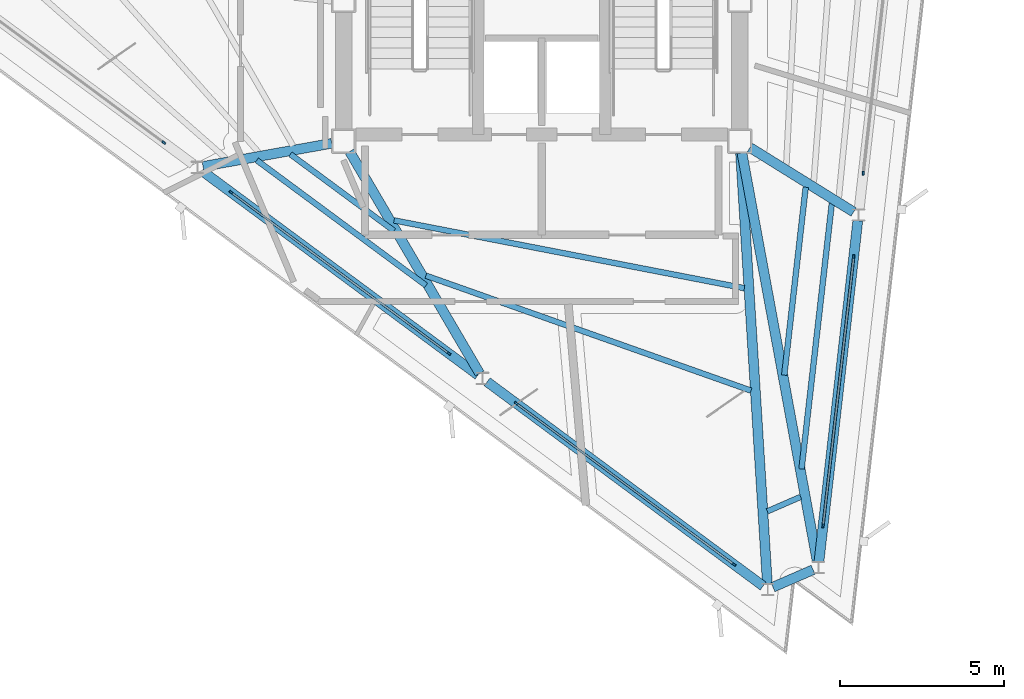
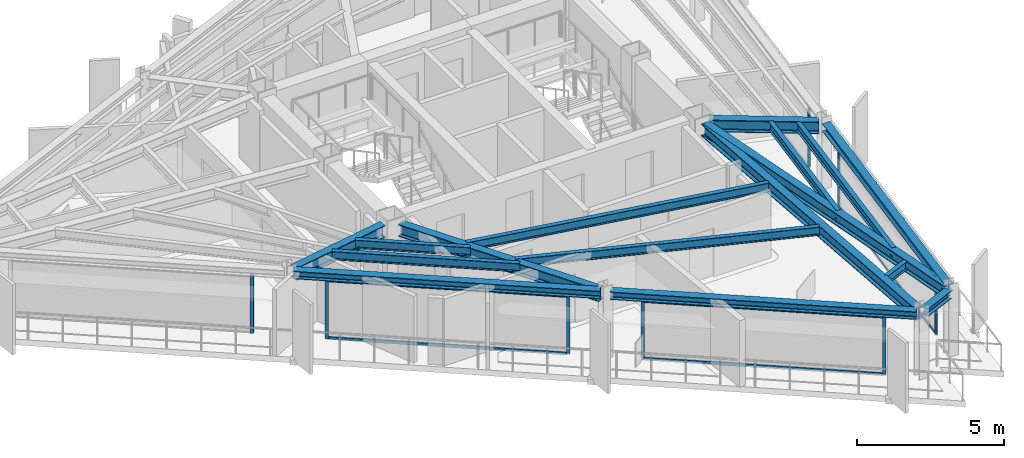
# One storey, part 2 of 10: 16 beams, 14 members, 5 elements without a shape of their own.
"""IFC4 building model written with IfcOpenShell, lengths in metres."""

from ifc_helpers import new_model, si_unit, direction, frame, origin, origin_2d, place, context, subcontext, project, spatial, rectangle, i_section, extrude, material, layer, layer_set, material_profile, profile_set, type_object, element, aggregate, save


model = new_model("IFC4")

# Units and contexts
model_context = context("Model", 3, precision=1e-05, world=origin(), true_north=direction((0.0, 1.0)))
body_context = subcontext(model_context, "Body", "Model", "MODEL_VIEW")
ifc_project = project(units=[si_unit("LENGTHUNIT", "METRE"), si_unit("AREAUNIT", "SQUARE_METRE"), si_unit("VOLUMEUNIT", "CUBIC_METRE"), si_unit("PLANEANGLEUNIT", "RADIAN"), si_unit("MASSUNIT", "GRAM", prefix="KILO")], contexts=[model_context])

# Site, building, storey
site_placement = place(None, origin())
site = spatial("IfcSite", under=ifc_project, at=site_placement, CompositionType="ELEMENT")
building_placement = place(site_placement, origin())
building = spatial("IfcBuilding", under=site, at=building_placement, Name="Rocaltana Carrier Exchange", CompositionType="ELEMENT")
storey_placement = place(building_placement, frame((0.0, 0.0, 227.0400390625)))
storey = spatial("IfcBuildingStorey", under=building, at=storey_placement, Name="L72", CompositionType="ELEMENT", Elevation=227.0400390625)

# Curtain wall, members
ifc_material_1 = material(Name="Aluminium 6063-T6", Category="aluminium")
ifc_layer = layer(ifc_material_1, 0.1201171875)
ifc_layer_set = layer_set([ifc_layer], Name="Aluminium 6063-T6")
curtain_wall_type = type_object("IfcCurtainWallType", Name="High-Altitude Thermal Curtain Wall CW-05", PredefinedType="NOTDEFINED", material=ifc_layer_set)
curtain_wall_1_placement = place(storey_placement, origin())
curtain_wall_1 = element("IfcCurtainWall", 1, at=curtain_wall_1_placement, inside=storey, type_object=curtain_wall_type, Name="L72 CW-05 Run CW-L72-F1S1", PredefinedType="NOTDEFINED")
ifc_material_2 = material(Name="Aluminium 6063-T6", Category="aluminium")
ifc_material_profile_1 = material_profile(ifc_material_2, rectangle(XDim=0.06005859375, YDim=0.1201171875, at=origin_2d()), Name="AL-60X120")
ifc_profile_set_1 = profile_set([ifc_material_profile_1], Name="Aluminium 6063-T6")
member_type_1 = type_object("IfcMemberType", Name="CW-05 Mullion AL-60X120", PredefinedType="MULLION", material=ifc_profile_set_1)
member_1_placement = place(storey_placement, frame((8.593505859375, -16.0458984375, 0.0), z_axis=(0.0, 0.0, 1.0), x_axis=(-0.993571216652, 0.113208822277, 0.0)))
member_1 = element("IfcMember", 2, at=member_1_placement, type_object=member_type_1, Name="CW-05 mullion 1", PredefinedType="MULLION", context=body_context, shape_type="SweptSolid", body=[
    extrude(rectangle(XDim=0.06005859375, YDim=0.1201171875, at=origin_2d()), origin(), (0.0, 0.0, 1.0), 2.447998046875),
])
member_2_placement = place(storey_placement, frame((9.530029296875, -7.825927734375, 0.0), z_axis=(0.0, 0.0, 1.0), x_axis=(-0.993571216652, 0.113208822277, 0.0)))
member_2 = element("IfcMember", 3, at=member_2_placement, type_object=member_type_1, Name="CW-05 mullion 2", PredefinedType="MULLION", context=body_context, shape_type="SweptSolid", body=[
    extrude(rectangle(XDim=0.06005859375, YDim=0.1201171875, at=origin_2d()), origin(), (0.0, 0.0, 1.0), 2.447998046875),
])

# Curtain wall, member
curtain_wall_2_placement = place(storey_placement, origin())
curtain_wall_2 = element("IfcCurtainWall", 4, at=curtain_wall_2_placement, inside=storey, type_object=curtain_wall_type, Name="L72 CW-05 Run CW-L72-F1S2", PredefinedType="NOTDEFINED")
member_3_placement = place(storey_placement, frame((9.81982421875, -5.2822265625, 0.0), z_axis=(0.0, 0.0, 1.0), x_axis=(-0.993571216652, 0.113208822277, 0.0)))
member_3 = element("IfcMember", 5, at=member_3_placement, type_object=member_type_1, Name="CW-05 mullion 1", PredefinedType="MULLION", context=body_context, shape_type="SweptSolid", body=[
    extrude(rectangle(XDim=0.06005859375, YDim=0.1201171875, at=origin_2d()), origin(), (0.0, 0.0, 1.0), 2.447998046875),
])
aggregate(curtain_wall_2, [member_3])

curtain_wall_3_placement = place(storey_placement, origin())
curtain_wall_3 = element("IfcCurtainWall", 6, at=curtain_wall_3_placement, inside=storey, type_object=curtain_wall_type, Name="L72 CW-05 Run CW-L72-F3S1", PredefinedType="NOTDEFINED")
member_4_placement = place(storey_placement, frame((-11.54248046875, -4.340576171875, 0.0), z_axis=(0.0, 0.0, 1.0), x_axis=(0.594826566974, 0.803854063386, 0.0)))
member_4 = element("IfcMember", 7, at=member_4_placement, type_object=member_type_1, Name="CW-05 mullion 2", PredefinedType="MULLION", context=body_context, shape_type="SweptSolid", body=[
    extrude(rectangle(XDim=0.06005859375, YDim=0.1201171875, at=origin_2d()), origin(), (0.0, 0.0, 1.0), 2.447998046875),
])
aggregate(curtain_wall_3, [member_4])

# Curtain wall, members
curtain_wall_4_placement = place(storey_placement, origin())
curtain_wall_4 = element("IfcCurtainWall", 8, at=curtain_wall_4_placement, inside=storey, type_object=curtain_wall_type, Name="L72 CW-05 Run CW-L72-F3S2", PredefinedType="NOTDEFINED")
member_5_placement = place(storey_placement, frame((-9.484619140625, -5.863037109375, 0.0), z_axis=(0.0, 0.0, 1.0), x_axis=(0.594820829179, 0.803858309141, 0.0)))
member_5 = element("IfcMember", 9, at=member_5_placement, type_object=member_type_1, Name="CW-05 mullion 1", PredefinedType="MULLION", context=body_context, shape_type="SweptSolid", body=[
    extrude(rectangle(XDim=0.06005859375, YDim=0.1201171875, at=origin_2d()), origin(), (0.0, 0.0, 1.0), 2.447998046875),
])
member_6_placement = place(storey_placement, frame((-2.833984375, -10.784423828125, 0.0), z_axis=(0.0, 0.0, 1.0), x_axis=(0.594820829179, 0.803858309141, 0.0)))
member_6 = element("IfcMember", 10, at=member_6_placement, type_object=member_type_1, Name="CW-05 mullion 2", PredefinedType="MULLION", context=body_context, shape_type="SweptSolid", body=[
    extrude(rectangle(XDim=0.06005859375, YDim=0.1201171875, at=origin_2d()), origin(), (0.0, 0.0, 1.0), 2.447998046875),
])

curtain_wall_5_placement = place(storey_placement, origin())
curtain_wall_5 = element("IfcCurtainWall", 11, at=curtain_wall_5_placement, inside=storey, type_object=curtain_wall_type, Name="L72 CW-05 Run CW-L72-F3S3", PredefinedType="NOTDEFINED")
member_7_placement = place(storey_placement, frame((-0.776123046875, -12.30712890625, 0.0), z_axis=(0.0, 0.0, 1.0), x_axis=(0.594826566974, 0.803854063386, 0.0)))
member_7 = element("IfcMember", 12, at=member_7_placement, type_object=member_type_1, Name="CW-05 mullion 1", PredefinedType="MULLION", context=body_context, shape_type="SweptSolid", body=[
    extrude(rectangle(XDim=0.06005859375, YDim=0.1201171875, at=origin_2d()), origin(), (0.0, 0.0, 1.0), 2.447998046875),
])
member_8_placement = place(storey_placement, frame((5.87451171875, -17.228271484375, 0.0), z_axis=(0.0, 0.0, 1.0), x_axis=(0.594826566974, 0.803854063386, 0.0)))
member_8 = element("IfcMember", 13, at=member_8_placement, type_object=member_type_1, Name="CW-05 mullion 2", PredefinedType="MULLION", context=body_context, shape_type="SweptSolid", body=[
    extrude(rectangle(XDim=0.06005859375, YDim=0.1201171875, at=origin_2d()), origin(), (0.0, 0.0, 1.0), 2.447998046875),
])

# Member
ifc_material_3 = material(Name="Aluminium 6063-T6", Category="aluminium")
ifc_material_profile_2 = material_profile(ifc_material_3, rectangle(XDim=0.06005859375, YDim=0.1201171875, at=origin_2d()), Name="AL-60X120")
ifc_profile_set_2 = profile_set([ifc_material_profile_2], Name="Aluminium 6063-T6")
member_type_2 = type_object("IfcMemberType", Name="CW-05 Transom AL-60X120", PredefinedType="USERDEFINED", material=ifc_profile_set_2)
member_9_placement = place(storey_placement, frame((8.596923828125, -16.01611328125, 0.030029296875), z_axis=(0.113194477683, 0.993572850989, 0.0), x_axis=(-0.993572850989, 0.113194477683, 0.0)))
member_9 = element("IfcMember", 14, at=member_9_placement, type_object=member_type_2, Name="CW-05 transom 1.1", ObjectType="TRANSOM", PredefinedType="USERDEFINED", context=body_context, shape_type="SweptSolid", body=[
    extrude(rectangle(XDim=0.06005859375, YDim=0.1201171875, at=origin_2d()), origin(), (0.0, 0.0, 1.0), 8.213134765625),
])

member_10_placement = place(storey_placement, frame((8.596923828125, -16.01611328125, 2.41796875), z_axis=(0.113194477683, 0.993572850989, 0.0), x_axis=(-0.993572850989, 0.113194477683, 0.0)))
member_10 = element("IfcMember", 15, at=member_10_placement, type_object=member_type_2, Name="CW-05 transom 1.2", ObjectType="TRANSOM", PredefinedType="USERDEFINED", context=body_context, shape_type="SweptSolid", body=[
    extrude(rectangle(XDim=0.06005859375, YDim=0.1201171875, at=origin_2d()), origin(), (0.0, 0.0, 1.0), 8.213134765625),
])

aggregate(curtain_wall_1, [member_1, member_2, member_9, member_10])

member_11_placement = place(storey_placement, frame((-9.46044921875, -5.881103515625, 0.030029296875), z_axis=(0.80386407087, -0.59481304253, 0.0), x_axis=(0.59481304253, 0.80386407087, 0.0)))
member_11 = element("IfcMember", 16, at=member_11_placement, type_object=member_type_2, Name="CW-05 transom 1.1", ObjectType="TRANSOM", PredefinedType="USERDEFINED", context=body_context, shape_type="SweptSolid", body=[
    extrude(rectangle(XDim=0.06005859375, YDim=0.1201171875, at=origin_2d()), origin(), (0.0, 0.0, 1.0), 8.213623046875),
])

member_12_placement = place(storey_placement, frame((-9.46044921875, -5.881103515625, 2.41796875), z_axis=(0.80386407087, -0.59481304253, 0.0), x_axis=(0.59481304253, 0.80386407087, 0.0)))
member_12 = element("IfcMember", 17, at=member_12_placement, type_object=member_type_2, Name="CW-05 transom 1.2", ObjectType="TRANSOM", PredefinedType="USERDEFINED", context=body_context, shape_type="SweptSolid", body=[
    extrude(rectangle(XDim=0.06005859375, YDim=0.1201171875, at=origin_2d()), origin(), (0.0, 0.0, 1.0), 8.213623046875),
])

aggregate(curtain_wall_4, [member_5, member_6, member_11, member_12])

member_13_placement = place(storey_placement, frame((-0.751953125, -12.324951171875, 0.030029296875), z_axis=(0.803853553959, -0.594827255418, 0.0), x_axis=(0.594827255418, 0.803853553959, 0.0)))
member_13 = element("IfcMember", 18, at=member_13_placement, type_object=member_type_2, Name="CW-05 transom 1.1", ObjectType="TRANSOM", PredefinedType="USERDEFINED", context=body_context, shape_type="SweptSolid", body=[
    extrude(rectangle(XDim=0.06005859375, YDim=0.1201171875, at=origin_2d()), origin(), (0.0, 0.0, 1.0), 8.21337890625),
])

member_14_placement = place(storey_placement, frame((-0.751953125, -12.324951171875, 2.41796875), z_axis=(0.803853553959, -0.594827255418, 0.0), x_axis=(0.594827255418, 0.803853553959, 0.0)))
member_14 = element("IfcMember", 19, at=member_14_placement, type_object=member_type_2, Name="CW-05 transom 1.2", ObjectType="TRANSOM", PredefinedType="USERDEFINED", context=body_context, shape_type="SweptSolid", body=[
    extrude(rectangle(XDim=0.06005859375, YDim=0.1201171875, at=origin_2d()), origin(), (0.0, 0.0, 1.0), 8.21337890625),
])

aggregate(curtain_wall_5, [member_7, member_8, member_13, member_14])

# Beams
ifc_material_4 = material(Name="Steel S355", Category="steel")
ifc_material_profile_3 = material_profile(ifc_material_4, i_section(OverallWidth=0.172119140625, OverallDepth=0.35791015625, WebThickness=0.0078125, FlangeThickness=0.01318359375, FilletRadius=0.011962890625, at=origin_2d()), Name="W14X38")
ifc_profile_set_3 = profile_set([ifc_material_profile_3], Name="Steel S355")
beam_type_1 = type_object("IfcBeamType", Name="Floor Joist W14X38", PredefinedType="JOIST", material=ifc_profile_set_3)
beam_1_placement = place(storey_placement, frame((7.409423828125, -11.44677734375, 2.618896484375), z_axis=(0.113227249781, 0.993569116824, 0.0), x_axis=(-0.993569116824, 0.113227249781, 0.0)))
element("IfcBeam", 20, at=beam_1_placement, inside=storey, type_object=beam_type_1, Name="FJ-L72-01-2", PredefinedType="JOIST", context=body_context, shape_type="SweptSolid", body=[
    extrude(i_section(OverallWidth=0.172119140625, OverallDepth=0.35791015625, WebThickness=0.0078125, FlangeThickness=0.01318359375, FilletRadius=0.011962890625, at=origin_2d()), origin(), (0.0, 0.0, 1.0), 5.778564453125),
])
beam_2_placement = place(storey_placement, frame((7.937255859375, -14.310791015625, 2.618896484375), z_axis=(0.113185523322, 0.993573871089, 0.0), x_axis=(-0.993573871089, 0.113185523322, 0.0)))
element("IfcBeam", 21, at=beam_2_placement, inside=storey, type_object=beam_type_1, Name="FJ-L72-01-3", PredefinedType="JOIST", context=body_context, shape_type="SweptSolid", body=[
    extrude(i_section(OverallWidth=0.172119140625, OverallDepth=0.35791015625, WebThickness=0.0078125, FlangeThickness=0.01318359375, FilletRadius=0.011962890625, at=origin_2d()), origin(), (0.0, 0.0, 1.0), 8.162109375),
])
beam_3_placement = place(storey_placement, frame((-7.675048828125, -4.698486328125, 2.618896484375), z_axis=(0.803860282808, -0.594818161899, 0.0), x_axis=(0.594818161899, 0.803860282808, 0.0)))
element("IfcBeam", 22, at=beam_3_placement, inside=storey, type_object=beam_type_1, Name="FJ-L72-10-1", PredefinedType="JOIST", context=body_context, shape_type="SweptSolid", body=[
    extrude(i_section(OverallWidth=0.172119140625, OverallDepth=0.35791015625, WebThickness=0.0078125, FlangeThickness=0.01318359375, FilletRadius=0.011962890625, at=origin_2d()), origin(), (0.0, 0.0, 1.0), 3.93701171875),
])
beam_4_placement = place(storey_placement, frame((-8.70166015625, -4.8828125, 2.618896484375), z_axis=(0.803852431251, -0.59482877265, 0.0), x_axis=(0.59482877265, 0.803852431251, 0.0)))
element("IfcBeam", 23, at=beam_4_placement, inside=storey, type_object=beam_type_1, Name="FJ-L72-10-2", PredefinedType="JOIST", context=body_context, shape_type="SweptSolid", body=[
    extrude(i_section(OverallWidth=0.172119140625, OverallDepth=0.35791015625, WebThickness=0.0078125, FlangeThickness=0.01318359375, FilletRadius=0.011962890625, at=origin_2d()), origin(), (0.0, 0.0, 1.0), 6.4287109375),
])
beam_5_placement = place(storey_placement, frame((-4.5078125, -6.718505859375, 2.618896484375), z_axis=(0.981759350147, -0.190127794914, 0.0), x_axis=(0.190127794914, 0.981759350147, 0.0)))
element("IfcBeam", 24, at=beam_5_placement, inside=storey, type_object=beam_type_1, Name="FJ-L72-11-1", PredefinedType="JOIST", context=body_context, shape_type="SweptSolid", body=[
    extrude(i_section(OverallWidth=0.172119140625, OverallDepth=0.35791015625, WebThickness=0.0078125, FlangeThickness=0.01318359375, FilletRadius=0.011962890625, at=origin_2d()), origin(), (0.0, 0.0, 1.0), 10.896728515625),
])
beam_6_placement = place(storey_placement, frame((-3.537109375, -8.405517578125, 2.618896484375), z_axis=(0.942743579006, -0.333518431639, 0.0), x_axis=(0.333518431639, 0.942743579006, 0.0)))
element("IfcBeam", 25, at=beam_6_placement, inside=storey, type_object=beam_type_1, Name="FJ-L72-11-2", PredefinedType="JOIST", context=body_context, shape_type="SweptSolid", body=[
    extrude(i_section(OverallWidth=0.172119140625, OverallDepth=0.35791015625, WebThickness=0.0078125, FlangeThickness=0.01318359375, FilletRadius=0.011962890625, at=origin_2d()), origin(), (0.0, 0.0, 1.0), 10.5322265625),
])
beam_7_placement = place(storey_placement, frame((6.890380859375, -15.60498046875, 2.618896484375), z_axis=(0.917028106869, 0.398822581122, 0.0), x_axis=(-0.398822581122, 0.917028106869, 0.0)))
element("IfcBeam", 26, at=beam_7_placement, inside=storey, type_object=beam_type_1, Name="FJ-L72-12-3", PredefinedType="JOIST", context=body_context, shape_type="SweptSolid", body=[
    extrude(i_section(OverallWidth=0.172119140625, OverallDepth=0.35791015625, WebThickness=0.0078125, FlangeThickness=0.01318359375, FilletRadius=0.011962890625, at=origin_2d()), origin(), (0.0, 0.0, 1.0), 1.1103515625),
])
ifc_material_5 = material(Name="Steel S355", Category="steel")
ifc_material_profile_4 = material_profile(ifc_material_5, i_section(OverallWidth=0.300048828125, OverallDepth=0.320068359375, WebThickness=0.011474609375, FlangeThickness=0.0205078125, FilletRadius=0.027099609375, at=origin_2d()), Name="HEB320")
ifc_profile_set_4 = profile_set([ifc_material_profile_4], Name="Steel S355")
beam_type_2 = type_object("IfcBeamType", Name="Spandrel Edge Beam HEB320", PredefinedType="SPANDREL", material=ifc_profile_set_4)
for number, where, z_axis, x_axis, name in (
    (27, (8.46826171875, -17.144775390625, 2.637939453125), (0.113206425365, 0.993571489756, 0.0), (-0.993571489756, 0.113206425365, 0.0), "SP-L72-01"),
    (28, (-10.37353515625, -5.205322265625, 2.637939453125), (0.80386149379, -0.594816525326, 0.0), (0.594816525326, 0.80386149379, 0.0), "SP-L72-10"),
):
    element("IfcBeam", number, at=place(storey_placement, frame(where, z_axis=z_axis, x_axis=x_axis)), inside=storey, type_object=beam_type_2, Name=name, PredefinedType="SPANDREL", context=body_context, shape_type="SweptSolid", body=[
        extrude(i_section(OverallWidth=0.300048828125, OverallDepth=0.320068359375, WebThickness=0.011474609375, FlangeThickness=0.0205078125, FilletRadius=0.027099609375, at=origin_2d()), origin(), (0.0, 0.0, 1.0), 10.4853515625),
    ])
beam_8_placement = place(storey_placement, frame((-1.6650390625, -11.649169921875, 2.637939453125), z_axis=(0.803853255476, -0.594827658789, 0.0), x_axis=(0.594827658789, 0.803853255476, 0.0)))
element("IfcBeam", 29, at=beam_8_placement, inside=storey, type_object=beam_type_2, Name="SP-L72-11", PredefinedType="SPANDREL", context=body_context, shape_type="SweptSolid", body=[
    extrude(i_section(OverallWidth=0.300048828125, OverallDepth=0.320068359375, WebThickness=0.011474609375, FlangeThickness=0.0205078125, FilletRadius=0.027099609375, at=origin_2d()), origin(), (0.0, 0.0, 1.0), 10.485107421875),
])
beam_9_placement = place(storey_placement, frame((7.06298828125, -17.920166015625, 2.637939453125), z_axis=(0.917101989492, 0.398652656922, 0.0), x_axis=(-0.398652656922, 0.917101989492, 0.0)))
element("IfcBeam", 30, at=beam_9_placement, inside=storey, type_object=beam_type_2, Name="SP-L72-12", PredefinedType="SPANDREL", context=body_context, shape_type="SweptSolid", body=[
    extrude(i_section(OverallWidth=0.300048828125, OverallDepth=0.320068359375, WebThickness=0.011474609375, FlangeThickness=0.0205078125, FilletRadius=0.027099609375, at=origin_2d()), origin(), (0.0, 0.0, 1.0), 1.3369140625),
])
ifc_material_6 = material(Name="Steel S355", Category="steel")
ifc_material_profile_5 = material_profile(ifc_material_6, i_section(OverallWidth=0.300048828125, OverallDepth=0.5, WebThickness=0.014404296875, FlangeThickness=0.028076171875, FilletRadius=0.027099609375, at=origin_2d()), Name="HEB500")
ifc_profile_set_5 = profile_set([ifc_material_profile_5], Name="Steel S355")
beam_type_3 = type_object("IfcBeamType", Name="Upper Radial Girder HEB500", PredefinedType="BEAM", material=ifc_profile_set_5)
beam_10_placement = place(storey_placement, frame((6.116455078125, -4.660888671875, 2.5478515625), z_axis=(0.181205011111, -0.983445343651, 0.0), x_axis=(0.983445343651, 0.181205011111, 0.0)))
element("IfcBeam", 31, at=beam_10_placement, inside=storey, type_object=beam_type_3, Name="RG-L72-01", PredefinedType="BEAM", context=body_context, shape_type="SweptSolid", body=[
    extrude(i_section(OverallWidth=0.300048828125, OverallDepth=0.5, WebThickness=0.014404296875, FlangeThickness=0.028076171875, FilletRadius=0.027099609375, at=origin_2d()), origin(), (0.0, 0.0, 1.0), 12.69580078125),
])
beam_11_placement = place(storey_placement, frame((6.36181640625, -4.493896484375, 2.5478515625), z_axis=(0.849206736658, -0.528060525333, 0.0), x_axis=(0.528060525333, 0.849206736658, 0.0)))
element("IfcBeam", 32, at=beam_11_placement, inside=storey, type_object=beam_type_3, Name="RG-L72-02", PredefinedType="BEAM", context=body_context, shape_type="SweptSolid", body=[
    extrude(i_section(OverallWidth=0.300048828125, OverallDepth=0.5, WebThickness=0.014404296875, FlangeThickness=0.028076171875, FilletRadius=0.027099609375, at=origin_2d()), origin(), (0.0, 0.0, 1.0), 3.727294921875),
])
beam_12_placement = place(storey_placement, frame((-6.4111328125, -4.364990234375, 2.5478515625), z_axis=(-0.98425103289, -0.176776424489, 0.0), x_axis=(0.176776424489, -0.98425103289, 0.0)))
element("IfcBeam", 33, at=beam_12_placement, inside=storey, type_object=beam_type_3, Name="RG-L72-10", PredefinedType="BEAM", context=body_context, shape_type="SweptSolid", body=[
    extrude(i_section(OverallWidth=0.300048828125, OverallDepth=0.5, WebThickness=0.014404296875, FlangeThickness=0.028076171875, FilletRadius=0.027099609375, at=origin_2d()), origin(), (0.0, 0.0, 1.0), 3.994140625),
])
beam_13_placement = place(storey_placement, frame((-5.864501953125, -4.61669921875, 2.5478515625), z_axis=(0.505496980412, -0.862828373893, 0.0), x_axis=(0.862828373893, 0.505496980412, 0.0)))
element("IfcBeam", 34, at=beam_13_placement, inside=storey, type_object=beam_type_3, Name="RG-L72-11", PredefinedType="BEAM", context=body_context, shape_type="SweptSolid", body=[
    extrude(i_section(OverallWidth=0.300048828125, OverallDepth=0.5, WebThickness=0.014404296875, FlangeThickness=0.028076171875, FilletRadius=0.027099609375, at=origin_2d()), origin(), (0.0, 0.0, 1.0), 7.8564453125),
])
beam_14_placement = place(storey_placement, frame((6.07275390625, -4.666259765625, 2.5478515625), z_axis=(0.062224851394, -0.998062156315, 0.0), x_axis=(0.998062156315, 0.062224851394, 0.0)))
element("IfcBeam", 35, at=beam_14_placement, inside=storey, type_object=beam_type_3, Name="RG-L72-12", PredefinedType="BEAM", context=body_context, shape_type="SweptSolid", body=[
    extrude(i_section(OverallWidth=0.300048828125, OverallDepth=0.5, WebThickness=0.014404296875, FlangeThickness=0.028076171875, FilletRadius=0.027099609375, at=origin_2d()), origin(), (0.0, 0.0, 1.0), 13.17529296875),
])

save(model, "model.ifc")
